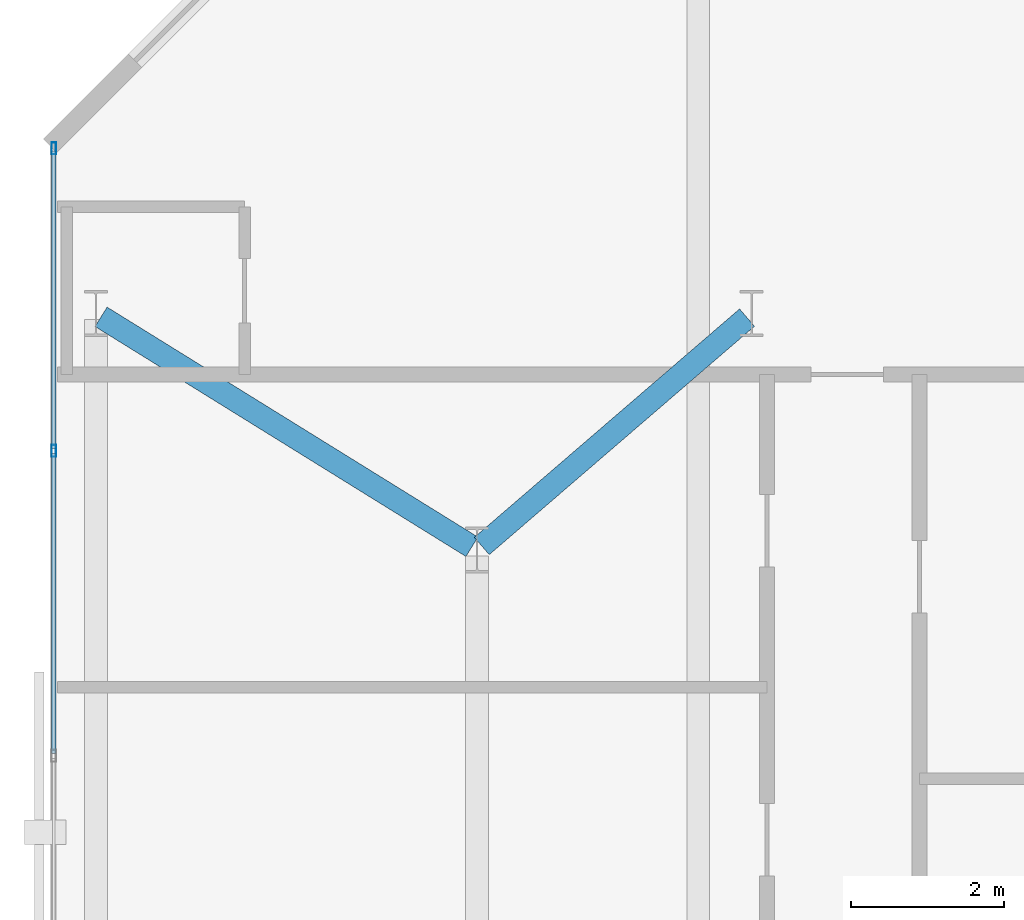
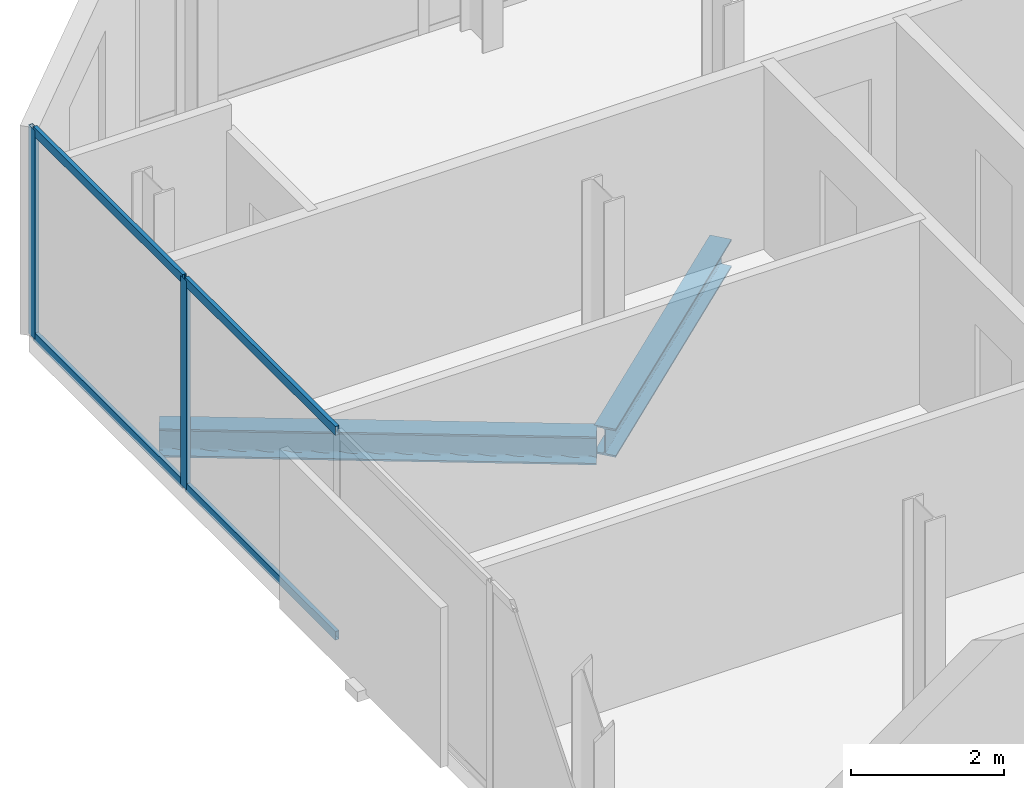
# One storey, part 17 of 32: 6 members, 2 beams, 1 element without a shape of its own.
"""IFC4 building model written with IfcOpenShell, lengths in metres."""

from ifc_helpers import new_model, si_unit, direction, frame, origin, origin_2d, place, context, subcontext, project, spatial, hollow_rectangle, i_section, extrude, material, layer, layer_set, material_profile, profile_set, type_object, element, aggregate, save


model = new_model("IFC4")

# Units and contexts
model_context = context("Model", 3, precision=1e-05, world=origin(), true_north=direction((0.0, 1.0)))
body_context = subcontext(model_context, "Body", "Model", "MODEL_VIEW")
ifc_project = project(units=[si_unit("LENGTHUNIT", "METRE"), si_unit("AREAUNIT", "SQUARE_METRE"), si_unit("VOLUMEUNIT", "CUBIC_METRE"), si_unit("PLANEANGLEUNIT", "RADIAN"), si_unit("MASSUNIT", "GRAM", prefix="KILO")], contexts=[model_context])

# Site, building, storey
site_placement = place(None, origin())
site = spatial("IfcSite", under=ifc_project, at=site_placement, CompositionType="ELEMENT")
building_placement = place(site_placement, origin())
building = spatial("IfcBuilding", under=site, at=building_placement, Name="Catumbela Crestline Tower", CompositionType="ELEMENT")
storey_placement = place(building_placement, frame((0.0, 0.0, 133.2)))
storey = spatial("IfcBuildingStorey", under=building, at=storey_placement, Name="L34", CompositionType="ELEMENT", Elevation=133.2)

# Beams
ifc_material_1 = material(Name="Structural steel S355J2", Category="steel")
ifc_material_profile_1 = material_profile(ifc_material_1, i_section(OverallWidth=0.3, OverallDepth=0.45, WebThickness=0.014, FlangeThickness=0.026, FilletRadius=0.027, at=origin_2d()), Name="HEB 450")
ifc_profile_set_1 = profile_set([ifc_material_profile_1], Name="Structural steel S355J2")
beam_type = type_object("IfcBeamType", Name="BG-HEB450", PredefinedType="BEAM", material=ifc_profile_set_1)
beam_1_placement = place(storey_placement, frame((0.668, 42.2578, -0.485), z_axis=(0.849908952007, -0.526929571479, 0.0), x_axis=(0.526929571479, 0.849908952007, 0.0)))
element("IfcBeam", 1, at=beam_1_placement, inside=storey, type_object=beam_type, Name="L34 Beam BM-L34-N12", PredefinedType="BEAM", context=body_context, shape_type="SweptSolid", body=[
    extrude(i_section(OverallWidth=0.3, OverallDepth=0.45, WebThickness=0.014, FlangeThickness=0.026, FilletRadius=0.027, at=origin_2d()), origin(), (0.0, 0.0, 1.0), 5.723),
])
beam_2_placement = place(storey_placement, frame((5.6606, 39.2522, -0.485), z_axis=(0.757772392559, 0.652518966066, 0.0), x_axis=(-0.652518966066, 0.757772392559, 0.0)))
element("IfcBeam", 2, at=beam_2_placement, inside=storey, type_object=beam_type, Name="L34 Beam BM-L34-N13", PredefinedType="BEAM", context=body_context, shape_type="SweptSolid", body=[
    extrude(i_section(OverallWidth=0.3, OverallDepth=0.45, WebThickness=0.014, FlangeThickness=0.026, FilletRadius=0.027, at=origin_2d()), origin(), (0.0, 0.0, 1.0), 4.5908),
])

# Curtain wall, members
ifc_material_2 = material(Name="Aluminium alloy AW-6060-T66", Category="aluminium")
ifc_layer = layer(ifc_material_2, 0.18, Name="Aluminium alloy AW-6060-T66")
ifc_layer_set = layer_set([ifc_layer], Name="Aluminium alloy AW-6060-T66")
curtain_wall_type = type_object("IfcCurtainWallType", Name="CWU-Z2", PredefinedType="USERDEFINED", material=ifc_layer_set)
curtain_wall_placement = place(storey_placement, origin())
curtain_wall = element("IfcCurtainWall", 3, at=curtain_wall_placement, inside=storey, type_object=curtain_wall_type, Name="L34 Unitised Curtain Wall CW-L34-E9S1", ObjectType="UNITISED", PredefinedType="USERDEFINED")
ifc_material_profile_2 = material_profile(ifc_material_2, hollow_rectangle(XDim=0.06, YDim=0.16, WallThickness=0.004, at=origin_2d()), Name="ALU 160x60x4")
ifc_profile_set_2 = profile_set([ifc_material_profile_2], Name="Aluminium alloy AW-6060-T66")
member_type_1 = type_object("IfcMemberType", Name="MUL-160X60", PredefinedType="MULLION", material=ifc_profile_set_2)
member_1_placement = place(storey_placement, frame((0.05, 44.4675, 0.0), z_axis=(0.0, 0.0, 1.0), x_axis=(1.0, 0.0, 0.0)))
member_1 = element("IfcMember", 4, at=member_1_placement, type_object=member_type_1, Name="CWU-Z2 mullion 1", PredefinedType="MULLION", context=body_context, shape_type="SweptSolid", body=[
    extrude(hollow_rectangle(XDim=0.06, YDim=0.16, WallThickness=0.004, at=origin_2d()), origin(), (0.0, 0.0, 1.0), 3.33),
])
member_2_placement = place(storey_placement, frame((0.05, 40.5, 0.0), z_axis=(0.0, 0.0, 1.0), x_axis=(1.0, 0.0, 0.0)))
member_2 = element("IfcMember", 5, at=member_2_placement, type_object=member_type_1, Name="CWU-Z2 mullion 2", PredefinedType="MULLION", context=body_context, shape_type="SweptSolid", body=[
    extrude(hollow_rectangle(XDim=0.06, YDim=0.16, WallThickness=0.004, at=origin_2d()), origin(), (0.0, 0.0, 1.0), 3.33),
])
ifc_material_profile_3 = material_profile(ifc_material_2, hollow_rectangle(XDim=0.06, YDim=0.14, WallThickness=0.004, at=origin_2d()), Name="ALU 140x60x4")
ifc_profile_set_3 = profile_set([ifc_material_profile_3], Name="Aluminium alloy AW-6060-T66")
member_type_2 = type_object("IfcMemberType", Name="TRN-140X60", PredefinedType="USERDEFINED", material=ifc_profile_set_3)
member_3_placement = place(storey_placement, frame((0.05, 44.435, 0.03), z_axis=(0.0, -1.0, 0.0), x_axis=(1.0, 0.0, 0.0)))
member_3 = element("IfcMember", 6, at=member_3_placement, type_object=member_type_2, Name="CWU-Z2 transom 1.1", ObjectType="TRANSOM", PredefinedType="USERDEFINED", context=body_context, shape_type="SweptSolid", body=[
    extrude(hollow_rectangle(XDim=0.06, YDim=0.14, WallThickness=0.004, at=origin_2d()), origin(), (0.0, 0.0, 1.0), 3.9025),
])
member_4_placement = place(storey_placement, frame((0.05, 44.435, 3.3), z_axis=(0.0, -1.0, 0.0), x_axis=(1.0, 0.0, 0.0)))
member_4 = element("IfcMember", 7, at=member_4_placement, type_object=member_type_2, Name="CWU-Z2 transom 1.2", ObjectType="TRANSOM", PredefinedType="USERDEFINED", context=body_context, shape_type="SweptSolid", body=[
    extrude(hollow_rectangle(XDim=0.06, YDim=0.14, WallThickness=0.004, at=origin_2d()), origin(), (0.0, 0.0, 1.0), 3.9025),
])
member_5_placement = place(storey_placement, frame((0.05, 40.4675, 0.03), z_axis=(0.0, -1.0, 0.0), x_axis=(1.0, 0.0, 0.0)))
member_5 = element("IfcMember", 8, at=member_5_placement, type_object=member_type_2, Name="CWU-Z2 transom 2.1", ObjectType="TRANSOM", PredefinedType="USERDEFINED", context=body_context, shape_type="SweptSolid", body=[
    extrude(hollow_rectangle(XDim=0.06, YDim=0.14, WallThickness=0.004, at=origin_2d()), origin(), (0.0, 0.0, 1.0), 3.935),
])
member_6_placement = place(storey_placement, frame((0.05, 40.4675, 3.3), z_axis=(0.0, -1.0, 0.0), x_axis=(1.0, 0.0, 0.0)))
member_6 = element("IfcMember", 9, at=member_6_placement, type_object=member_type_2, Name="CWU-Z2 transom 2.2", ObjectType="TRANSOM", PredefinedType="USERDEFINED", context=body_context, shape_type="SweptSolid", body=[
    extrude(hollow_rectangle(XDim=0.06, YDim=0.14, WallThickness=0.004, at=origin_2d()), origin(), (0.0, 0.0, 1.0), 3.935),
])
aggregate(curtain_wall, [member_1, member_2, member_3, member_4, member_5, member_6])

save(model, "model.ifc")
